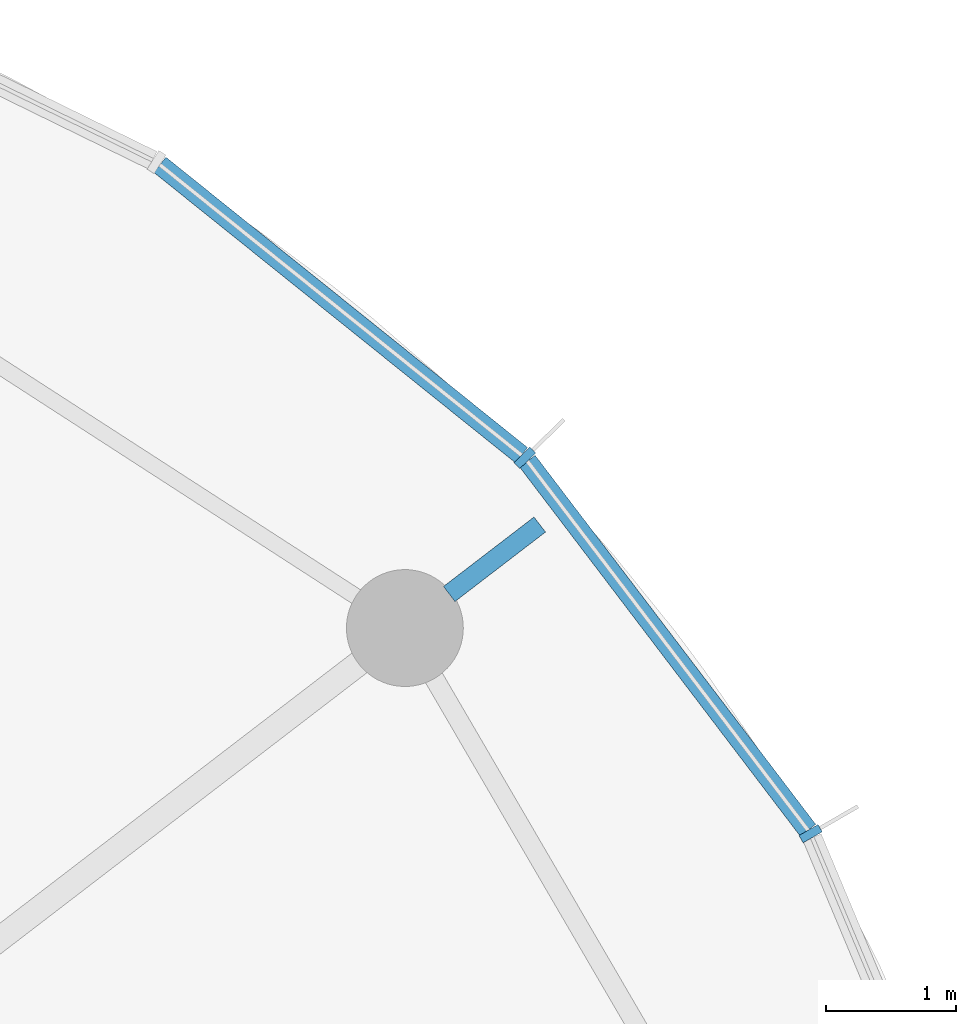
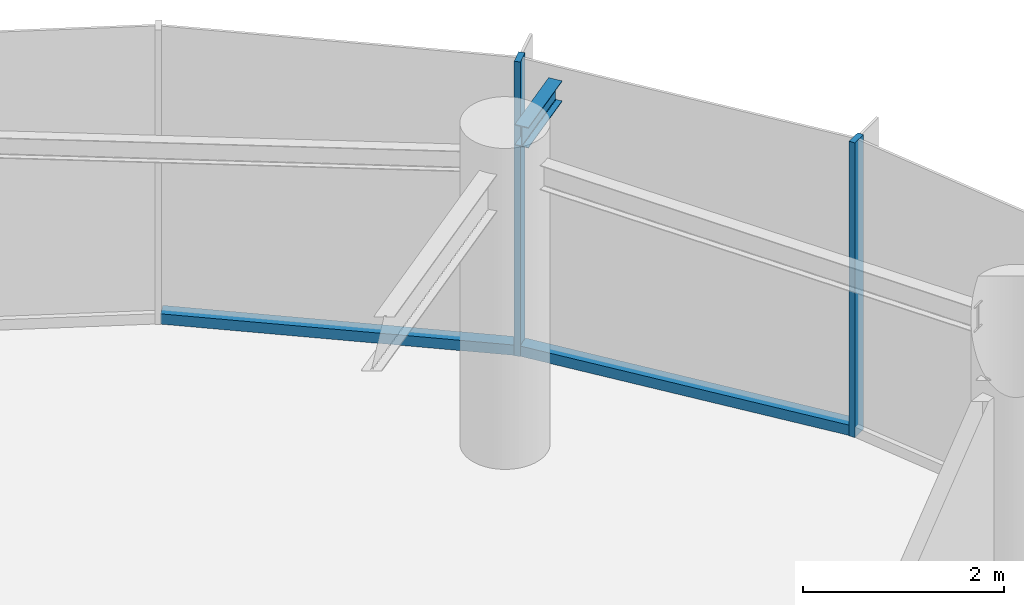
# One storey, part 7 of 14: 4 members, 1 beam, 1 element without a shape of its own.
"""IFC4 building model written with IfcOpenShell, lengths in metres."""

import ifcopenshell
import ifcopenshell.guid

model = None  # the IFC model being written
_history = None  # IfcOwnerHistory: only IFC2X3 demands one
_inside = {}  # id of a spatial element -> (the spatial element, [elements in it])
_under = {}  # id of a project, library or spatial element -> (it, [spatial elements below it])
_declared = {}  # id of a project -> (the project, [libraries it declares])
_typed = {}  # id of a type object -> (the type object, [elements of that type])
_made_of = {}  # id of a material, layer set ... -> (it, [elements and type objects made of it])


def new_model(schema):
    """Start an empty IFC model of exactly this schema.

    Asked for "IFC4X3", IfcOpenShell would pick the latest addendum, in which some entities
    have other attributes; the version numbers below select the first issue.
    IFC2X3 requires an IfcOwnerHistory on every rooted entity: one is made here for all.
    """
    global model, _history
    if schema == "IFC4X3":
        model = ifcopenshell.file(schema_version=(4, 3, 0, 0))
    else:
        model = ifcopenshell.file(schema=schema)
    _inside.clear()
    _under.clear()
    _declared.clear()
    _typed.clear()
    _made_of.clear()
    _history = None
    if model.schema == "IFC2X3":
        org = make("IfcOrganization", Name="unknown")
        user = make(
            "IfcPersonAndOrganization",
            ThePerson=make("IfcPerson", FamilyName="unknown"),
            TheOrganization=org,
        )
        app = make(
            "IfcApplication",
            ApplicationDeveloper=org,
            Version="unknown",
            ApplicationFullName="unknown",
            ApplicationIdentifier="unknown",
        )
        _history = make(
            "IfcOwnerHistory",
            OwningUser=user,
            OwningApplication=app,
            ChangeAction="ADDED",
            CreationDate=0,
        )
    return model


def make(cls, **values):
    """One entity of the class cls with the attributes given. An attribute that is None is left unset."""
    return model.create_entity(
        cls, **{name: value for name, value in values.items() if value is not None}
    )


def rooted(cls, **values):
    """An entity with a GlobalId (a new one), such as an element, a storey or a relation."""
    return make(cls, GlobalId=ifcopenshell.guid.new(), OwnerHistory=_history, **values)


def si_unit(unit_type, name, prefix=None):
    """IfcSIUnit, for example si_unit("LENGTHUNIT", "METRE", prefix="MILLI")."""
    return make("IfcSIUnit", UnitType=unit_type, Prefix=prefix, Name=name)


def assignment(units):
    """IfcUnitAssignment: the units of a project."""
    return None if units is None else make("IfcUnitAssignment", Units=units)


def point(xyz):
    """IfcCartesianPoint."""
    return None if xyz is None else make("IfcCartesianPoint", Coordinates=xyz)


def direction(xyz):
    """IfcDirection."""
    return None if xyz is None else make("IfcDirection", DirectionRatios=xyz)


def frame(location, z_axis=None, x_axis=None):
    """IfcAxis2Placement3D, a coordinate frame: its origin and axes. An axis left out is left unset."""
    return make(
        "IfcAxis2Placement3D",
        Location=point(location),
        Axis=direction(z_axis),
        RefDirection=direction(x_axis),
    )


def frame_2d(location, x_axis=None):
    """IfcAxis2Placement2D, a coordinate frame in the plane: its origin and x axis."""
    return make(
        "IfcAxis2Placement2D", Location=point(location), RefDirection=direction(x_axis)
    )


def origin():
    """The frame at (0, 0, 0) with its axes left unset."""
    return frame((0.0, 0.0, 0.0))


def origin_2d():
    """The frame at (0, 0) in the plane with its x axis left unset."""
    return frame_2d((0.0, 0.0))


def place(relative_to, where):
    """IfcLocalPlacement: puts the frame where relative to a parent placement (None: the world)."""
    return make(
        "IfcLocalPlacement", PlacementRelTo=relative_to, RelativePlacement=where
    )


def context(
    kind, dimensions, precision=None, world=None, true_north=None, identifier=None
):
    """IfcGeometricRepresentationContext, for example the 3D "Model" context."""
    return make(
        "IfcGeometricRepresentationContext",
        ContextIdentifier=identifier,
        ContextType=kind,
        CoordinateSpaceDimension=dimensions,
        Precision=precision,
        WorldCoordinateSystem=world,
        TrueNorth=true_north,
    )


def subcontext(parent, identifier, kind, view, scale=None):
    """IfcGeometricRepresentationSubContext, for example "Body" below "Model"."""
    return make(
        "IfcGeometricRepresentationSubContext",
        ContextIdentifier=identifier,
        ContextType=kind,
        ParentContext=parent,
        TargetScale=scale,
        TargetView=view,
    )


def project(units=None, contexts=None):
    """IfcProject with its units and contexts."""
    return rooted(
        "IfcProject",
        Name="project",
        RepresentationContexts=contexts,
        UnitsInContext=assignment(units),
    )


def spatial(cls, under=None, at=None, **own):
    """A site, building, storey or space (cls), placed at a placement, below another one or the project."""
    s = rooted(cls, ObjectPlacement=at, **own)
    if under is not None:
        _under.setdefault(under.id(), (under, []))[1].append(s)
    return s


def profile(cls, at=None, kind="AREA", **sizes):
    """A parametric profile (cls). Its sizes go by their IFC names, for example OverallWidth=200.0."""
    return make(cls, ProfileType=kind, Position=at, **sizes)


def rectangle(**sizes):
    """IfcRectangleProfileDef."""
    return profile("IfcRectangleProfileDef", **sizes)


def i_section(**sizes):
    """IfcIShapeProfileDef."""
    return profile("IfcIShapeProfileDef", **sizes)


def extrude(swept, where, along, depth):
    """IfcExtrudedAreaSolid: the profile swept, set in the frame where, extruded along a direction by depth."""
    return make(
        "IfcExtrudedAreaSolid",
        SweptArea=swept,
        Position=where,
        ExtrudedDirection=direction(along),
        Depth=depth,
    )


def shape(context_of_items, identifier, shape_type, items):
    """IfcShapeRepresentation: the items that make up one representation, for example the "Body"."""
    return make(
        "IfcShapeRepresentation",
        ContextOfItems=context_of_items,
        RepresentationIdentifier=identifier,
        RepresentationType=shape_type,
        Items=items,
    )


def source(mapping_origin, context_of_items, identifier, shape_type, items):
    """IfcRepresentationMap: a shape defined once, which mapped items show again and again."""
    return make(
        "IfcRepresentationMap",
        MappingOrigin=mapping_origin,
        MappedRepresentation=shape(context_of_items, identifier, shape_type, items),
    )


def transform(
    local_origin,
    x_axis=None,
    y_axis=None,
    z_axis=None,
    scale=None,
    scale2=None,
    scale3=None,
    uniform=True,
):
    """IfcCartesianTransformationOperator3D, or its non-uniform kind. x_axis, y_axis, z_axis: its Axis1, 2, 3."""
    if uniform:
        return make(
            "IfcCartesianTransformationOperator3D",
            Axis1=direction(x_axis),
            Axis2=direction(y_axis),
            LocalOrigin=point(local_origin),
            Scale=scale,
            Axis3=direction(z_axis),
        )
    return make(
        "IfcCartesianTransformationOperator3DnonUniform",
        Axis1=direction(x_axis),
        Axis2=direction(y_axis),
        LocalOrigin=point(local_origin),
        Scale=scale,
        Axis3=direction(z_axis),
        Scale2=scale2,
        Scale3=scale3,
    )


def mapped(mapping_source, mapping_target):
    """IfcMappedItem: shows the shape of a source again, moved by a transform."""
    return make(
        "IfcMappedItem", MappingSource=mapping_source, MappingTarget=mapping_target
    )


def material(Name=None, Category=None):
    """IfcMaterial."""
    return make("IfcMaterial", Name=Name, Category=Category)


def layer(
    of_material, thickness, ventilated=None, Name=None, Category=None, Priority=None
):
    """IfcMaterialLayer: one layer of a wall or slab, of a material (None: an air gap)."""
    return make(
        "IfcMaterialLayer",
        Material=of_material,
        LayerThickness=thickness,
        IsVentilated=ventilated,
        Name=Name,
        Category=Category,
        Priority=Priority,
    )


def layer_set(layers, Name=None):
    """IfcMaterialLayerSet."""
    return make("IfcMaterialLayerSet", MaterialLayers=layers, LayerSetName=Name)


def material_profile(
    of_material, cross_section, Name=None, Category=None, Priority=None
):
    """IfcMaterialProfile: a cross section and its material."""
    return make(
        "IfcMaterialProfile",
        Name=Name,
        Material=of_material,
        Profile=cross_section,
        Priority=Priority,
        Category=Category,
    )


def profile_set(profiles, Name=None, composite=None):
    """IfcMaterialProfileSet."""
    return make(
        "IfcMaterialProfileSet",
        Name=Name,
        MaterialProfiles=profiles,
        CompositeProfile=composite,
    )


def made_of(thing, what):
    """Note that an element or type object is made of a material, layer set ...; save() writes the relation."""
    if what is not None:
        _made_of.setdefault(what.id(), (what, []))[1].append(thing)
    return thing


def type_object(cls, material=None, **own):
    """A type object (cls), such as IfcWallType, which elements share."""
    return made_of(rooted(cls, **own), material)


def element(
    cls,
    number,
    at=None,
    inside=None,
    cuts=None,
    type_object=None,
    material=None,
    context=None,
    identifier="Body",
    shape_type=None,
    held_by="IfcProductDefinitionShape",
    body=None,
    shapes=None,
    **own,
):
    """One element of the class cls, such as IfcWall. Its Tag is "e" and its number.

    at: its placement. inside: the storey or other place that contains it. cuts: it is an
    opening in that element (IfcRelVoidsElement). A single representation is given by context,
    identifier, shape_type and body (its items); several are given by shapes. held_by: the class
    of the entity that holds the representations. save() writes the other relations.
    """
    e = rooted(cls, Tag="e%d" % number, ObjectPlacement=at, **own)
    if body is not None:
        shapes = [shape(context, identifier, shape_type, body)]
    if shapes is not None:
        e.Representation = make(held_by, Representations=shapes)
    if inside is not None:
        _inside.setdefault(inside.id(), (inside, []))[1].append(e)
    if cuts is not None:
        rooted(
            "IfcRelVoidsElement", RelatingBuildingElement=cuts, RelatedOpeningElement=e
        )
    if type_object is not None:
        _typed.setdefault(type_object.id(), (type_object, []))[1].append(e)
    return made_of(e, material)


def aggregate(whole, parts):
    """IfcRelAggregates: a whole, such as a stair, and the parts it consists of."""
    return rooted("IfcRelAggregates", RelatingObject=whole, RelatedObjects=parts)


def save(model, path):
    """Write the relations noted so far, then the file.

    IfcRelAggregates (storeys below a building ...), IfcRelContainedInSpatialStructure (elements
    in a storey), IfcRelDefinesByType, IfcRelAssociatesMaterial and IfcRelDeclares: one each for
    every whole, place, type object, material and project.
    """
    for whole, parts in _under.values():
        aggregate(whole, parts)
    for where, things in _inside.values():
        rooted(
            "IfcRelContainedInSpatialStructure",
            RelatedElements=things,
            RelatingStructure=where,
        )
    for kind, things in _typed.values():
        rooted("IfcRelDefinesByType", RelatedObjects=things, RelatingType=kind)
    for what, things in _made_of.values():
        rooted("IfcRelAssociatesMaterial", RelatedObjects=things, RelatingMaterial=what)
    for by, libraries in _declared.values():
        rooted("IfcRelDeclares", RelatingContext=by, RelatedDefinitions=libraries)
    model.write(path)


model = new_model("IFC4")

# Units and contexts
model_context = context("Model", 3, precision=1e-05, world=origin(), true_north=direction((0.0, 1.0)))
body_context = subcontext(model_context, "Body", "Model", "MODEL_VIEW")
ifc_project = project(units=[si_unit("LENGTHUNIT", "METRE"), si_unit("AREAUNIT", "SQUARE_METRE"), si_unit("VOLUMEUNIT", "CUBIC_METRE"), si_unit("PLANEANGLEUNIT", "RADIAN"), si_unit("MASSUNIT", "GRAM", prefix="KILO")], contexts=[model_context])

# Site, building, storey
site_placement = place(None, origin())
site = spatial("IfcSite", under=ifc_project, at=site_placement, CompositionType="ELEMENT")
building_placement = place(site_placement, origin())
building = spatial("IfcBuilding", under=site, at=building_placement, Name="Spindrift Exchange Tower", CompositionType="ELEMENT")
storey_placement = place(building_placement, frame((0.0, 0.0, 215.0)))
storey = spatial("IfcBuildingStorey", under=building, at=storey_placement, Name="L52", CompositionType="ELEMENT", Elevation=215.0)

# Beam
ifc_material_1 = material(Name="Steel Grade 300", Category="steel")
ifc_material_profile_1 = material_profile(ifc_material_1, i_section(OverallWidth=0.14599609375, OverallDepth=0.251953125, WebThickness=0.006103515625, FlangeThickness=0.008544921875, FilletRadius=0.011962890625, at=origin_2d()), Name="250UB31.4")
ifc_profile_set_1 = profile_set([ifc_material_profile_1], Name="Steel Grade 300")
beam_type = type_object("IfcBeamType", Name="Cantilever Beam 250UB31.4 Steel Grade 300", PredefinedType="BEAM", material=ifc_profile_set_1)
shared_shape_1 = source(origin(), body_context, "Body", "SweptSolid", [
    extrude(i_section(OverallWidth=0.14599609375, OverallDepth=0.251953125, WebThickness=0.006103515625, FlangeThickness=0.008544921875, FilletRadius=0.011962890625, at=origin_2d()), origin(), (0.0, 0.0, 1.0), 0.87890625),
])
beam_placement = place(storey_placement, frame((70.143310546875, 61.921875, 3.4541015625), z_axis=(0.793418526324, 0.608676467498, 0.0), x_axis=(-0.608676467498, 0.793418526324, 0.0)))
element("IfcBeam", 1, at=beam_placement, inside=storey, type_object=beam_type, Name="L52 cantilever beam R03T", PredefinedType="BEAM", context=body_context, shape_type="MappedRepresentation", body=[
    mapped(shared_shape_1, transform((0.0, 0.0, 0.0), scale=1.0)),
])

# Curtain wall, members
ifc_material_2 = material(Name="Fritted laminated glass with bronze frame", Category="glass")
ifc_layer = layer(ifc_material_2, 0.169921875)
ifc_layer_set = layer_set([ifc_layer], Name="ZONE 4 BRONZE FRITTED WALL")
curtain_wall_type = type_object("IfcCurtainWallType", Name="ZONE 4 BRONZE FRITTED WALL", PredefinedType="NOTDEFINED", material=ifc_layer_set)
curtain_wall_placement = place(storey_placement, origin())
curtain_wall = element("IfcCurtainWall", 2, at=curtain_wall_placement, inside=storey, type_object=curtain_wall_type, Name="L52 Zone 4 Bronze Fritted Wall run 1", PredefinedType="NOTDEFINED")
ifc_material_3 = material(Name="Bronze anodised aluminium", Category="aluminium")
ifc_material_profile_2 = material_profile(ifc_material_3, rectangle(XDim=0.06494140625, YDim=0.169921875, at=origin_2d()), Name="ZONE 4 BRONZE FRITTED WALL MULLION 65X170")
ifc_profile_set_2 = profile_set([ifc_material_profile_2], Name="Bronze anodised aluminium")
member_type_1 = type_object("IfcMemberType", Name="ZONE 4 BRONZE FRITTED WALL MULLION 65X170", PredefinedType="MULLION", material=ifc_profile_set_2)
shared_shape_2 = source(origin(), body_context, "Body", "SweptSolid", [
    extrude(rectangle(XDim=0.06494140625, YDim=0.169921875, at=origin_2d()), origin(), (0.0, 0.0, 1.0), 3.580078125),
])
member_1_placement = place(storey_placement, frame((72.92578125, 60.07666015625, 0.0), z_axis=(0.0, 0.0, 1.0), x_axis=(-0.499846007756, 0.866114292995, 0.0)))
member_1 = element("IfcMember", 3, at=member_1_placement, type_object=member_type_1, Name="L52 mullion CW-4.1", PredefinedType="MULLION", context=body_context, shape_type="MappedRepresentation", body=[
    mapped(shared_shape_2, transform((0.0, 0.0, 0.0), scale=1.0)),
])
member_2_placement = place(storey_placement, frame((70.7255859375, 62.970458984375, 0.0), z_axis=(0.0, 0.0, 1.0), x_axis=(-0.697677270326, 0.716412190342, 0.0)))
member_2 = element("IfcMember", 4, at=member_2_placement, type_object=member_type_1, Name="L52 mullion CW-4.2", PredefinedType="MULLION", context=body_context, shape_type="MappedRepresentation", body=[
    mapped(shared_shape_2, transform((0.0, 0.0, 0.0), scale=1.0)),
])
ifc_material_profile_3 = material_profile(ifc_material_3, rectangle(XDim=0.14990234375, YDim=0.125, at=origin_2d()), Name="ZONE 4 BRONZE FRITTED WALL TRANSOM 150X125")
ifc_profile_set_3 = profile_set([ifc_material_profile_3], Name="Bronze anodised aluminium")
member_type_2 = type_object("IfcMemberType", Name="ZONE 4 BRONZE FRITTED WALL TRANSOM 150X125", PredefinedType="USERDEFINED", material=ifc_profile_set_3)
shared_shape_3 = source(origin(), body_context, "Body", "SweptSolid", [
    extrude(rectangle(XDim=0.14990234375, YDim=0.125, at=origin_2d()), origin(), (0.0, 0.0, 1.0), 3.5703125),
])
member_3_placement = place(storey_placement, frame((72.906005859375, 60.1025390625, 0.0625), z_axis=(-0.60524970154, 0.79603567683, 0.0), x_axis=(-0.79603567683, -0.60524970154, 0.0)))
member_3 = element("IfcMember", 5, at=member_3_placement, type_object=member_type_2, Name="L52 transom CW-4.1", ObjectType="TRANSOM", PredefinedType="USERDEFINED", context=body_context, shape_type="MappedRepresentation", body=[
    mapped(shared_shape_3, transform((0.0, 0.0, 0.0), scale=1.0)),
])
shared_shape_4 = source(origin(), body_context, "Body", "SweptSolid", [
    extrude(rectangle(XDim=0.14990234375, YDim=0.125, at=origin_2d()), origin(), (0.0, 0.0, 1.0), 3.57177734375),
])
member_4_placement = place(storey_placement, frame((70.7001953125, 62.99072265625, 0.0625), z_axis=(-0.779720470271, 0.626127773094, 0.0), x_axis=(-0.626127773094, -0.779720470271, 0.0)))
member_4 = element("IfcMember", 6, at=member_4_placement, type_object=member_type_2, Name="L52 transom CW-4.2", ObjectType="TRANSOM", PredefinedType="USERDEFINED", context=body_context, shape_type="MappedRepresentation", body=[
    mapped(shared_shape_4, transform((0.0, 0.0, 0.0), scale=1.0)),
])
aggregate(curtain_wall, [member_1, member_3, member_2, member_4])

save(model, "model.ifc")
